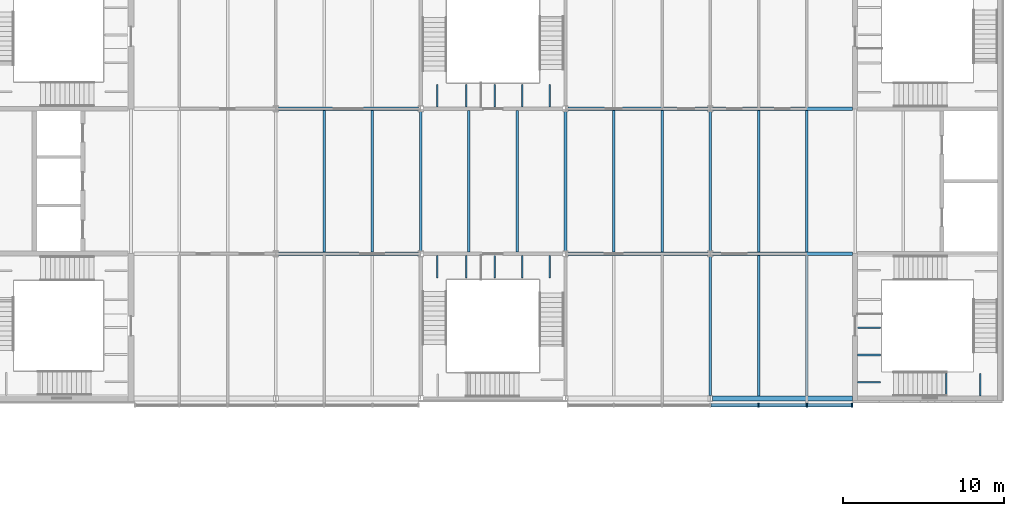
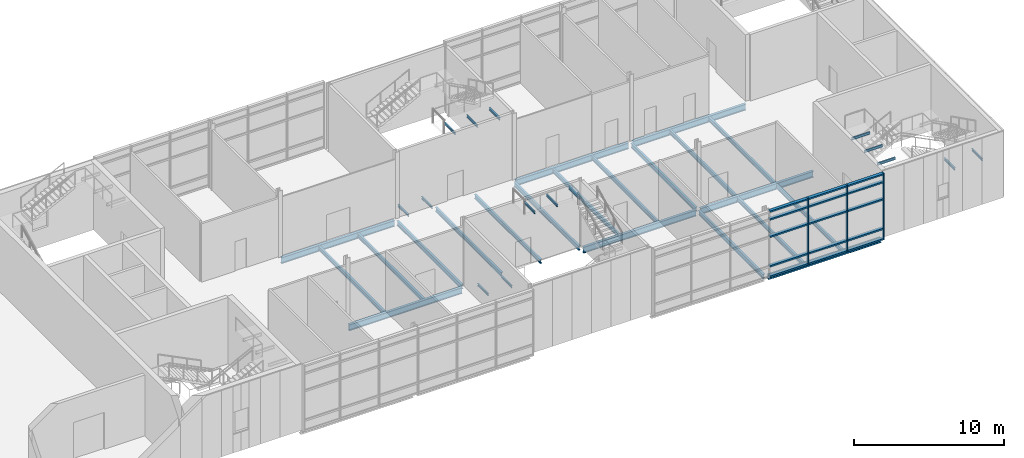
# One storey, part 22 of 52: 36 beams, 18 members, 1 element without a shape of its own.
"""IFC4 building model written with IfcOpenShell, lengths in metres."""

from ifc_helpers import new_model, si_unit, direction, frame, origin, origin_2d, place, context, subcontext, project, spatial, rectangle, i_section, extrude, material, material_profile, profile_set, type_object, element, aggregate, save


model = new_model("IFC4")

# Units and contexts
model_context = context("Model", 3, precision=1e-05, world=origin(), true_north=direction((0.0, 1.0)))
body_context = subcontext(model_context, "Body", "Model", "MODEL_VIEW")
ifc_project = project(units=[si_unit("LENGTHUNIT", "METRE"), si_unit("AREAUNIT", "SQUARE_METRE"), si_unit("VOLUMEUNIT", "CUBIC_METRE"), si_unit("PLANEANGLEUNIT", "RADIAN"), si_unit("MASSUNIT", "GRAM", prefix="KILO")], contexts=[model_context])

# Site, building, storey
site_placement = place(None, origin())
site = spatial("IfcSite", under=ifc_project, at=site_placement, CompositionType="ELEMENT")
building_placement = place(site_placement, origin())
building = spatial("IfcBuilding", under=site, at=building_placement, Name="Azimuth Sports and Learning Centre", CompositionType="ELEMENT")
storey_placement = place(building_placement, frame((0.0, 0.0, 16.199951171875)))
storey = spatial("IfcBuildingStorey", under=building, at=storey_placement, Name="L03", CompositionType="ELEMENT", Elevation=16.199951171875)

# Beams
ifc_material_1 = material(Name="Steel S355", Category="steel")
ifc_material_profile_1 = material_profile(ifc_material_1, i_section(OverallWidth=0.10009765625, OverallDepth=0.199951171875, WebThickness=0.005615234375, FlangeThickness=0.008544921875, FilletRadius=0.011962890625, at=origin_2d()), Name="IPE 200")
ifc_profile_set_1 = profile_set([ifc_material_profile_1], Name="Steel S355")
beam_type_1 = type_object("IfcBeamType", Name="Beam IPE 200", PredefinedType="BEAM", material=ifc_profile_set_1)
for number, where, z_axis, x_axis, name in (
    (1, (167.652587890625, 90.14990234375, 3.300048828125), (0.0, 1.0, 0.0), (-1.0, 0.0, 0.0), "Landing bracket EW1 L03 810"),
    (2, (169.777587890625, 90.14990234375, 3.300048828125), (0.0, 1.0, 0.0), (-1.0, 0.0, 0.0), "Landing bracket EW1 L03 811"),
    (3, (162.14990234375, 91.00830078125, 5.10009765625), (1.0, 0.0, 0.0), (0.0, 1.0, 0.0), "Landing bracket EW1 L03 812"),
    (4, (162.14990234375, 92.705078125, 5.10009765625), (1.0, 0.0, 0.0), (0.0, 1.0, 0.0), "Landing bracket EW1 L03 813"),
    (5, (162.14990234375, 94.401611328125, 5.10009765625), (1.0, 0.0, 0.0), (0.0, 1.0, 0.0), "Landing bracket EW1 L03 814"),
):
    element("IfcBeam", number, at=place(storey_placement, frame(where, z_axis=z_axis, x_axis=x_axis)), inside=storey, type_object=beam_type_1, Name=name, PredefinedType="BEAM", context=body_context, shape_type="SweptSolid", body=[
        extrude(i_section(OverallWidth=0.10009765625, OverallDepth=0.199951171875, WebThickness=0.005615234375, FlangeThickness=0.008544921875, FilletRadius=0.011962890625, at=origin_2d()), origin(), (0.0, 0.0, 1.0), 1.41015625),
    ])
for number, where, z_axis, x_axis, name in (
    (6, (136.02001953125, 98.89990234375, -0.300048828125), (0.0, -1.0, 0.0), (1.0, 0.0, 0.0), "Landing bracket EM1 L03 942"),
    (7, (137.840087890625, 98.89990234375, -0.300048828125), (0.0, -1.0, 0.0), (1.0, 0.0, 0.0), "Landing bracket EM1 L03 943"),
    (8, (139.606689453125, 98.89990234375, 5.10009765625), (0.0, -1.0, 0.0), (1.0, 0.0, 0.0), "Landing bracket EM1 L03 948"),
    (9, (141.320068359375, 98.89990234375, 5.10009765625), (0.0, -1.0, 0.0), (1.0, 0.0, 0.0), "Landing bracket EM1 L03 949"),
    (10, (143.033447265625, 98.89990234375, 5.10009765625), (0.0, -1.0, 0.0), (1.0, 0.0, 0.0), "Landing bracket EM1 L03 950"),
    (11, (136.02001953125, 108.10009765625, -0.300048828125), (0.0, 1.0, 0.0), (-1.0, 0.0, 0.0), "Landing bracket EM2 L03 976"),
    (12, (137.840087890625, 108.10009765625, -0.300048828125), (0.0, 1.0, 0.0), (-1.0, 0.0, 0.0), "Landing bracket EM2 L03 977"),
    (13, (139.606689453125, 108.10009765625, 5.10009765625), (0.0, 1.0, 0.0), (-1.0, 0.0, 0.0), "Landing bracket EM2 L03 982"),
    (14, (141.320068359375, 108.10009765625, 5.10009765625), (0.0, 1.0, 0.0), (-1.0, 0.0, 0.0), "Landing bracket EM2 L03 983"),
    (15, (143.033447265625, 108.10009765625, 5.10009765625), (0.0, 1.0, 0.0), (-1.0, 0.0, 0.0), "Landing bracket EM2 L03 984"),
):
    element("IfcBeam", number, at=place(storey_placement, frame(where, z_axis=z_axis, x_axis=x_axis)), inside=storey, type_object=beam_type_1, Name=name, PredefinedType="BEAM", context=body_context, shape_type="SweptSolid", body=[
        extrude(i_section(OverallWidth=0.10009765625, OverallDepth=0.199951171875, WebThickness=0.005615234375, FlangeThickness=0.008544921875, FilletRadius=0.011962890625, at=origin_2d()), origin(), (0.0, 0.0, 1.0), 1.409912109375),
    ])
ifc_material_2 = material(Name="Steel S355", Category="steel")
ifc_material_profile_2 = material_profile(ifc_material_2, i_section(OverallWidth=0.169921875, OverallDepth=0.360107421875, WebThickness=0.008056640625, FlangeThickness=0.0126953125, FilletRadius=0.01806640625, at=origin_2d()), Name="IPE 360")
ifc_profile_set_2 = profile_set([ifc_material_profile_2], Name="Steel S355")
beam_type_2 = type_object("IfcBeamType", Name="Beam IPE 360", PredefinedType="BEAM", material=ifc_profile_set_2)
for number, where, z_axis, x_axis, name in (
    (16, (135.0, 99.179931640625, -0.329833984375), (0.0, 1.0, 0.0), (-1.0, 0.0, 0.0), "Beam L03 WE 21"),
    (17, (144.0, 99.179931640625, -0.329833984375), (0.0, 1.0, 0.0), (-1.0, 0.0, 0.0), "Beam L03 WE 22"),
    (18, (153.0, 90.179931640625, -0.329833984375), (0.0, 1.0, 0.0), (-1.0, 0.0, 0.0), "Beam L03 WE 23"),
    (19, (153.0, 99.179931640625, -0.329833984375), (0.0, 1.0, 0.0), (-1.0, 0.0, 0.0), "Beam L03 WE 24"),
):
    element("IfcBeam", number, at=place(storey_placement, frame(where, z_axis=z_axis, x_axis=x_axis)), inside=storey, type_object=beam_type_2, Name=name, PredefinedType="BEAM", context=body_context, shape_type="SweptSolid", body=[
        extrude(i_section(OverallWidth=0.169921875, OverallDepth=0.360107421875, WebThickness=0.008056640625, FlangeThickness=0.0126953125, FilletRadius=0.01806640625, at=origin_2d()), origin(), (0.0, 0.0, 1.0), 8.64013671875),
    ])
ifc_material_3 = material(Name="Steel S355", Category="steel")
ifc_material_profile_3 = material_profile(ifc_material_3, i_section(OverallWidth=0.199951171875, OverallDepth=0.5, WebThickness=0.01025390625, FlangeThickness=0.01611328125, FilletRadius=0.02099609375, at=origin_2d()), Name="IPE 500")
ifc_profile_set_3 = profile_set([ifc_material_profile_3], Name="Steel S355")
beam_type_3 = type_object("IfcBeamType", Name="Beam IPE 500", PredefinedType="BEAM", material=ifc_profile_set_3)
for number, where, z_axis, x_axis, name in (
    (20, (126.14990234375, 99.0, -0.39990234375), (1.0, 0.0, 0.0), (0.0, 1.0, 0.0), "Beam L03 WE 6"),
    (21, (144.14990234375, 99.0, -0.39990234375), (1.0, 0.0, 0.0), (0.0, 1.0, 0.0), "Beam L03 WE 7"),
    (22, (153.14990234375, 99.0, -0.39990234375), (1.0, 0.0, 0.0), (0.0, 1.0, 0.0), "Beam L03 WE 8"),
    (23, (126.14990234375, 108.0, -0.39990234375), (1.0, 0.0, 0.0), (0.0, 1.0, 0.0), "Beam L03 WE 10"),
    (24, (144.14990234375, 108.0, -0.39990234375), (1.0, 0.0, 0.0), (0.0, 1.0, 0.0), "Beam L03 WE 11"),
    (25, (153.14990234375, 108.0, -0.39990234375), (1.0, 0.0, 0.0), (0.0, 1.0, 0.0), "Beam L03 WE 12"),
):
    element("IfcBeam", number, at=place(storey_placement, frame(where, z_axis=z_axis, x_axis=x_axis)), inside=storey, type_object=beam_type_3, Name=name, PredefinedType="BEAM", context=body_context, shape_type="SweptSolid", body=[
        extrude(i_section(OverallWidth=0.199951171875, OverallDepth=0.5, WebThickness=0.01025390625, FlangeThickness=0.01611328125, FilletRadius=0.02099609375, at=origin_2d()), origin(), (0.0, 0.0, 1.0), 8.7001953125),
    ])
ifc_material_4 = material(Name="Steel S355", Category="steel")
ifc_material_profile_4 = material_profile(ifc_material_4, i_section(OverallWidth=0.300048828125, OverallDepth=0.31005859375, WebThickness=0.009033203125, FlangeThickness=0.015380859375, FilletRadius=0.027099609375, at=origin_2d()), Name="HEA 320")
ifc_profile_set_4 = profile_set([ifc_material_profile_4], Name="Steel S355")
beam_type_4 = type_object("IfcBeamType", Name="Edge beam HEA 320", PredefinedType="SPANDREL", material=ifc_profile_set_4)
beam_1_placement = place(storey_placement, frame((153.14990234375, 90.0, -0.304931640625), z_axis=(1.0, 0.0, 0.0), x_axis=(0.0, 1.0, 0.0)))
element("IfcBeam", 26, at=beam_1_placement, inside=storey, type_object=beam_type_4, Name="Edge beam L03 WE 4", PredefinedType="SPANDREL", context=body_context, shape_type="SweptSolid", body=[
    extrude(i_section(OverallWidth=0.300048828125, OverallDepth=0.31005859375, WebThickness=0.009033203125, FlangeThickness=0.015380859375, FilletRadius=0.027099609375, at=origin_2d()), origin(), (0.0, 0.0, 1.0), 8.7001953125),
])
ifc_material_5 = material(Name="Steel S355", Category="steel")
ifc_material_profile_5 = material_profile(ifc_material_5, i_section(OverallWidth=0.159912109375, OverallDepth=0.330078125, WebThickness=0.007568359375, FlangeThickness=0.011474609375, FilletRadius=0.01806640625, at=origin_2d()), Name="IPE 330")
ifc_profile_set_5 = profile_set([ifc_material_profile_5], Name="Steel S355")
beam_type_5 = type_object("IfcBeamType", Name="Joist IPE 330", PredefinedType="JOIST", material=ifc_profile_set_5)
for number, where, z_axis, x_axis, name in (
    (27, (129.0, 99.10009765625, -0.31494140625), (0.0, 1.0, 0.0), (-1.0, 0.0, 0.0), "Joist L03 WE 34"),
    (28, (132.0, 99.10009765625, -0.31494140625), (0.0, 1.0, 0.0), (-1.0, 0.0, 0.0), "Joist L03 WE 37"),
    (29, (138.0, 99.10009765625, -0.31494140625), (0.0, 1.0, 0.0), (-1.0, 0.0, 0.0), "Joist L03 WE 39"),
    (30, (141.0, 99.10009765625, -0.31494140625), (0.0, 1.0, 0.0), (-1.0, 0.0, 0.0), "Joist L03 WE 40"),
    (31, (147.0, 99.10009765625, -0.31494140625), (0.0, 1.0, 0.0), (-1.0, 0.0, 0.0), "Joist L03 WE 42"),
    (32, (150.0, 99.10009765625, -0.31494140625), (0.0, 1.0, 0.0), (-1.0, 0.0, 0.0), "Joist L03 WE 45"),
):
    element("IfcBeam", number, at=place(storey_placement, frame(where, z_axis=z_axis, x_axis=x_axis)), inside=storey, type_object=beam_type_5, Name=name, PredefinedType="JOIST", context=body_context, shape_type="SweptSolid", body=[
        extrude(i_section(OverallWidth=0.159912109375, OverallDepth=0.330078125, WebThickness=0.007568359375, FlangeThickness=0.011474609375, FilletRadius=0.01806640625, at=origin_2d()), origin(), (0.0, 0.0, 1.0), 8.7998046875),
    ])
beam_2_placement = place(storey_placement, frame((156.0, 90.14990234375, -0.31494140625), z_axis=(0.0, 1.0, 0.0), x_axis=(-1.0, 0.0, 0.0)))
element("IfcBeam", 33, at=beam_2_placement, inside=storey, type_object=beam_type_5, Name="Joist L03 WE 47", PredefinedType="JOIST", context=body_context, shape_type="SweptSolid", body=[
    extrude(i_section(OverallWidth=0.159912109375, OverallDepth=0.330078125, WebThickness=0.007568359375, FlangeThickness=0.011474609375, FilletRadius=0.01806640625, at=origin_2d()), origin(), (0.0, 0.0, 1.0), 8.75),
])
beam_3_placement = place(storey_placement, frame((156.0, 99.10009765625, -0.31494140625), z_axis=(0.0, 1.0, 0.0), x_axis=(-1.0, 0.0, 0.0)))
element("IfcBeam", 34, at=beam_3_placement, inside=storey, type_object=beam_type_5, Name="Joist L03 WE 48", PredefinedType="JOIST", context=body_context, shape_type="SweptSolid", body=[
    extrude(i_section(OverallWidth=0.159912109375, OverallDepth=0.330078125, WebThickness=0.007568359375, FlangeThickness=0.011474609375, FilletRadius=0.01806640625, at=origin_2d()), origin(), (0.0, 0.0, 1.0), 8.7998046875),
])
beam_4_placement = place(storey_placement, frame((159.0, 90.14990234375, -0.31494140625), z_axis=(0.0, 1.0, 0.0), x_axis=(-1.0, 0.0, 0.0)))
element("IfcBeam", 35, at=beam_4_placement, inside=storey, type_object=beam_type_5, Name="Joist L03 WE 50", PredefinedType="JOIST", context=body_context, shape_type="SweptSolid", body=[
    extrude(i_section(OverallWidth=0.159912109375, OverallDepth=0.330078125, WebThickness=0.007568359375, FlangeThickness=0.011474609375, FilletRadius=0.01806640625, at=origin_2d()), origin(), (0.0, 0.0, 1.0), 8.75),
])
beam_5_placement = place(storey_placement, frame((159.0, 99.10009765625, -0.31494140625), z_axis=(0.0, 1.0, 0.0), x_axis=(-1.0, 0.0, 0.0)))
element("IfcBeam", 36, at=beam_5_placement, inside=storey, type_object=beam_type_5, Name="Joist L03 WE 51", PredefinedType="JOIST", context=body_context, shape_type="SweptSolid", body=[
    extrude(i_section(OverallWidth=0.159912109375, OverallDepth=0.330078125, WebThickness=0.007568359375, FlangeThickness=0.011474609375, FilletRadius=0.01806640625, at=origin_2d()), origin(), (0.0, 0.0, 1.0), 8.7998046875),
])

# Curtain wall, members
ifc_material_6 = material(Name="Aluminium and glass", Category="aluminium")
curtain_wall_type = type_object("IfcCurtainWallType", Name="Curtain wall podium wing 240", PredefinedType="NOTDEFINED", material=ifc_material_6)
curtain_wall_placement = place(storey_placement, origin())
curtain_wall = element("IfcCurtainWall", 37, at=curtain_wall_placement, inside=storey, type_object=curtain_wall_type, Name="Curtain wall CW03-010", PredefinedType="NOTDEFINED")
ifc_material_7 = material(Name="Aluminium", Category="aluminium")
ifc_material_profile_6 = material_profile(ifc_material_7, rectangle(XDim=0.239990234375, YDim=0.080078125, at=origin_2d()), Name="Mullion 80x240")
ifc_profile_set_6 = profile_set([ifc_material_profile_6], Name="Aluminium")
member_type_1 = type_object("IfcMemberType", Name="Mullion 80x240", PredefinedType="MULLION", material=ifc_profile_set_6)
member_1_placement = place(storey_placement, frame((156.0, 89.580078125, 0.0), z_axis=(0.0, 0.0, 1.0), x_axis=(0.0, 1.0, 0.0)))
member_1 = element("IfcMember", 38, at=member_1_placement, type_object=member_type_1, Name="CW03-010 mullion 5", PredefinedType="MULLION", context=body_context, shape_type="SweptSolid", body=[
    extrude(rectangle(XDim=0.239990234375, YDim=0.080078125, at=origin_2d()), origin(), (0.0, 0.0, 1.0), 5.400146484375),
])
member_2_placement = place(storey_placement, frame((159.0, 89.580078125, 0.0), z_axis=(0.0, 0.0, 1.0), x_axis=(0.0, 1.0, 0.0)))
member_2 = element("IfcMember", 39, at=member_2_placement, type_object=member_type_1, Name="CW03-010 mullion 6", PredefinedType="MULLION", context=body_context, shape_type="SweptSolid", body=[
    extrude(rectangle(XDim=0.239990234375, YDim=0.080078125, at=origin_2d()), origin(), (0.0, 0.0, 1.0), 5.400146484375),
])
member_3_placement = place(storey_placement, frame((161.81005859375, 89.580078125, 0.0), z_axis=(0.0, 0.0, 1.0), x_axis=(0.0, 1.0, 0.0)))
member_3 = element("IfcMember", 40, at=member_3_placement, type_object=member_type_1, Name="CW03-010 mullion 7", PredefinedType="MULLION", context=body_context, shape_type="SweptSolid", body=[
    extrude(rectangle(XDim=0.239990234375, YDim=0.080078125, at=origin_2d()), origin(), (0.0, 0.0, 1.0), 5.400146484375),
])
ifc_material_8 = material(Name="Aluminium", Category="aluminium")
ifc_material_profile_7 = material_profile(ifc_material_8, rectangle(XDim=0.239990234375, YDim=0.1201171875, at=origin_2d()), Name="Transom 120x240")
ifc_profile_set_7 = profile_set([ifc_material_profile_7], Name="Aluminium")
member_type_2 = type_object("IfcMemberType", Name="Transom 120x240", PredefinedType="USERDEFINED", material=ifc_profile_set_7)
member_4_placement = place(storey_placement, frame((153.0400390625, 89.580078125, 0.06005859375), z_axis=(1.0, 0.0, 0.0), x_axis=(0.0, 1.0, 0.0)))
member_4 = element("IfcMember", 41, at=member_4_placement, type_object=member_type_2, Name="CW03-010 transom 4.1", ObjectType="TRANSOM", PredefinedType="USERDEFINED", context=body_context, shape_type="SweptSolid", body=[
    extrude(rectangle(XDim=0.239990234375, YDim=0.1201171875, at=origin_2d()), origin(), (0.0, 0.0, 1.0), 2.919921875),
])
member_5_placement = place(storey_placement, frame((153.0400390625, 89.580078125, 0.900146484375), z_axis=(1.0, 0.0, 0.0), x_axis=(0.0, 1.0, 0.0)))
member_5 = element("IfcMember", 42, at=member_5_placement, type_object=member_type_2, Name="CW03-010 transom 4.2", ObjectType="TRANSOM", PredefinedType="USERDEFINED", context=body_context, shape_type="SweptSolid", body=[
    extrude(rectangle(XDim=0.239990234375, YDim=0.1201171875, at=origin_2d()), origin(), (0.0, 0.0, 1.0), 2.919921875),
])
member_6_placement = place(storey_placement, frame((153.0400390625, 89.580078125, 3.300048828125), z_axis=(1.0, 0.0, 0.0), x_axis=(0.0, 1.0, 0.0)))
member_6 = element("IfcMember", 43, at=member_6_placement, type_object=member_type_2, Name="CW03-010 transom 4.3", ObjectType="TRANSOM", PredefinedType="USERDEFINED", context=body_context, shape_type="SweptSolid", body=[
    extrude(rectangle(XDim=0.239990234375, YDim=0.1201171875, at=origin_2d()), origin(), (0.0, 0.0, 1.0), 2.919921875),
])
member_7_placement = place(storey_placement, frame((153.0400390625, 89.580078125, 4.699951171875), z_axis=(1.0, 0.0, 0.0), x_axis=(0.0, 1.0, 0.0)))
member_7 = element("IfcMember", 44, at=member_7_placement, type_object=member_type_2, Name="CW03-010 transom 4.4", ObjectType="TRANSOM", PredefinedType="USERDEFINED", context=body_context, shape_type="SweptSolid", body=[
    extrude(rectangle(XDim=0.239990234375, YDim=0.1201171875, at=origin_2d()), origin(), (0.0, 0.0, 1.0), 2.919921875),
])
member_8_placement = place(storey_placement, frame((153.0400390625, 89.580078125, 5.340087890625), z_axis=(1.0, 0.0, 0.0), x_axis=(0.0, 1.0, 0.0)))
member_8 = element("IfcMember", 45, at=member_8_placement, type_object=member_type_2, Name="CW03-010 transom 4.5", ObjectType="TRANSOM", PredefinedType="USERDEFINED", context=body_context, shape_type="SweptSolid", body=[
    extrude(rectangle(XDim=0.239990234375, YDim=0.1201171875, at=origin_2d()), origin(), (0.0, 0.0, 1.0), 2.919921875),
])
member_9_placement = place(storey_placement, frame((156.0400390625, 89.580078125, 0.06005859375), z_axis=(1.0, 0.0, 0.0), x_axis=(0.0, 1.0, 0.0)))
member_9 = element("IfcMember", 46, at=member_9_placement, type_object=member_type_2, Name="CW03-010 transom 5.1", ObjectType="TRANSOM", PredefinedType="USERDEFINED", context=body_context, shape_type="SweptSolid", body=[
    extrude(rectangle(XDim=0.239990234375, YDim=0.1201171875, at=origin_2d()), origin(), (0.0, 0.0, 1.0), 2.919921875),
])
member_10_placement = place(storey_placement, frame((156.0400390625, 89.580078125, 0.900146484375), z_axis=(1.0, 0.0, 0.0), x_axis=(0.0, 1.0, 0.0)))
member_10 = element("IfcMember", 47, at=member_10_placement, type_object=member_type_2, Name="CW03-010 transom 5.2", ObjectType="TRANSOM", PredefinedType="USERDEFINED", context=body_context, shape_type="SweptSolid", body=[
    extrude(rectangle(XDim=0.239990234375, YDim=0.1201171875, at=origin_2d()), origin(), (0.0, 0.0, 1.0), 2.919921875),
])
member_11_placement = place(storey_placement, frame((156.0400390625, 89.580078125, 3.300048828125), z_axis=(1.0, 0.0, 0.0), x_axis=(0.0, 1.0, 0.0)))
member_11 = element("IfcMember", 48, at=member_11_placement, type_object=member_type_2, Name="CW03-010 transom 5.3", ObjectType="TRANSOM", PredefinedType="USERDEFINED", context=body_context, shape_type="SweptSolid", body=[
    extrude(rectangle(XDim=0.239990234375, YDim=0.1201171875, at=origin_2d()), origin(), (0.0, 0.0, 1.0), 2.919921875),
])
member_12_placement = place(storey_placement, frame((156.0400390625, 89.580078125, 4.699951171875), z_axis=(1.0, 0.0, 0.0), x_axis=(0.0, 1.0, 0.0)))
member_12 = element("IfcMember", 49, at=member_12_placement, type_object=member_type_2, Name="CW03-010 transom 5.4", ObjectType="TRANSOM", PredefinedType="USERDEFINED", context=body_context, shape_type="SweptSolid", body=[
    extrude(rectangle(XDim=0.239990234375, YDim=0.1201171875, at=origin_2d()), origin(), (0.0, 0.0, 1.0), 2.919921875),
])
member_13_placement = place(storey_placement, frame((156.0400390625, 89.580078125, 5.340087890625), z_axis=(1.0, 0.0, 0.0), x_axis=(0.0, 1.0, 0.0)))
member_13 = element("IfcMember", 50, at=member_13_placement, type_object=member_type_2, Name="CW03-010 transom 5.5", ObjectType="TRANSOM", PredefinedType="USERDEFINED", context=body_context, shape_type="SweptSolid", body=[
    extrude(rectangle(XDim=0.239990234375, YDim=0.1201171875, at=origin_2d()), origin(), (0.0, 0.0, 1.0), 2.919921875),
])
member_14_placement = place(storey_placement, frame((159.0400390625, 89.580078125, 0.06005859375), z_axis=(1.0, 0.0, 0.0), x_axis=(0.0, 1.0, 0.0)))
member_14 = element("IfcMember", 51, at=member_14_placement, type_object=member_type_2, Name="CW03-010 transom 6.1", ObjectType="TRANSOM", PredefinedType="USERDEFINED", context=body_context, shape_type="SweptSolid", body=[
    extrude(rectangle(XDim=0.239990234375, YDim=0.1201171875, at=origin_2d()), origin(), (0.0, 0.0, 1.0), 2.72998046875),
])
member_15_placement = place(storey_placement, frame((159.0400390625, 89.580078125, 0.900146484375), z_axis=(1.0, 0.0, 0.0), x_axis=(0.0, 1.0, 0.0)))
member_15 = element("IfcMember", 52, at=member_15_placement, type_object=member_type_2, Name="CW03-010 transom 6.2", ObjectType="TRANSOM", PredefinedType="USERDEFINED", context=body_context, shape_type="SweptSolid", body=[
    extrude(rectangle(XDim=0.239990234375, YDim=0.1201171875, at=origin_2d()), origin(), (0.0, 0.0, 1.0), 2.72998046875),
])
member_16_placement = place(storey_placement, frame((159.0400390625, 89.580078125, 3.300048828125), z_axis=(1.0, 0.0, 0.0), x_axis=(0.0, 1.0, 0.0)))
member_16 = element("IfcMember", 53, at=member_16_placement, type_object=member_type_2, Name="CW03-010 transom 6.3", ObjectType="TRANSOM", PredefinedType="USERDEFINED", context=body_context, shape_type="SweptSolid", body=[
    extrude(rectangle(XDim=0.239990234375, YDim=0.1201171875, at=origin_2d()), origin(), (0.0, 0.0, 1.0), 2.72998046875),
])
member_17_placement = place(storey_placement, frame((159.0400390625, 89.580078125, 4.699951171875), z_axis=(1.0, 0.0, 0.0), x_axis=(0.0, 1.0, 0.0)))
member_17 = element("IfcMember", 54, at=member_17_placement, type_object=member_type_2, Name="CW03-010 transom 6.4", ObjectType="TRANSOM", PredefinedType="USERDEFINED", context=body_context, shape_type="SweptSolid", body=[
    extrude(rectangle(XDim=0.239990234375, YDim=0.1201171875, at=origin_2d()), origin(), (0.0, 0.0, 1.0), 2.72998046875),
])
member_18_placement = place(storey_placement, frame((159.0400390625, 89.580078125, 5.340087890625), z_axis=(1.0, 0.0, 0.0), x_axis=(0.0, 1.0, 0.0)))
member_18 = element("IfcMember", 55, at=member_18_placement, type_object=member_type_2, Name="CW03-010 transom 6.5", ObjectType="TRANSOM", PredefinedType="USERDEFINED", context=body_context, shape_type="SweptSolid", body=[
    extrude(rectangle(XDim=0.239990234375, YDim=0.1201171875, at=origin_2d()), origin(), (0.0, 0.0, 1.0), 2.72998046875),
])
aggregate(curtain_wall, [member_1, member_2, member_3, member_4, member_5, member_6, member_7, member_8, member_9, member_10, member_11, member_12, member_13, member_14, member_15, member_16, member_17, member_18])

save(model, "model.ifc")
